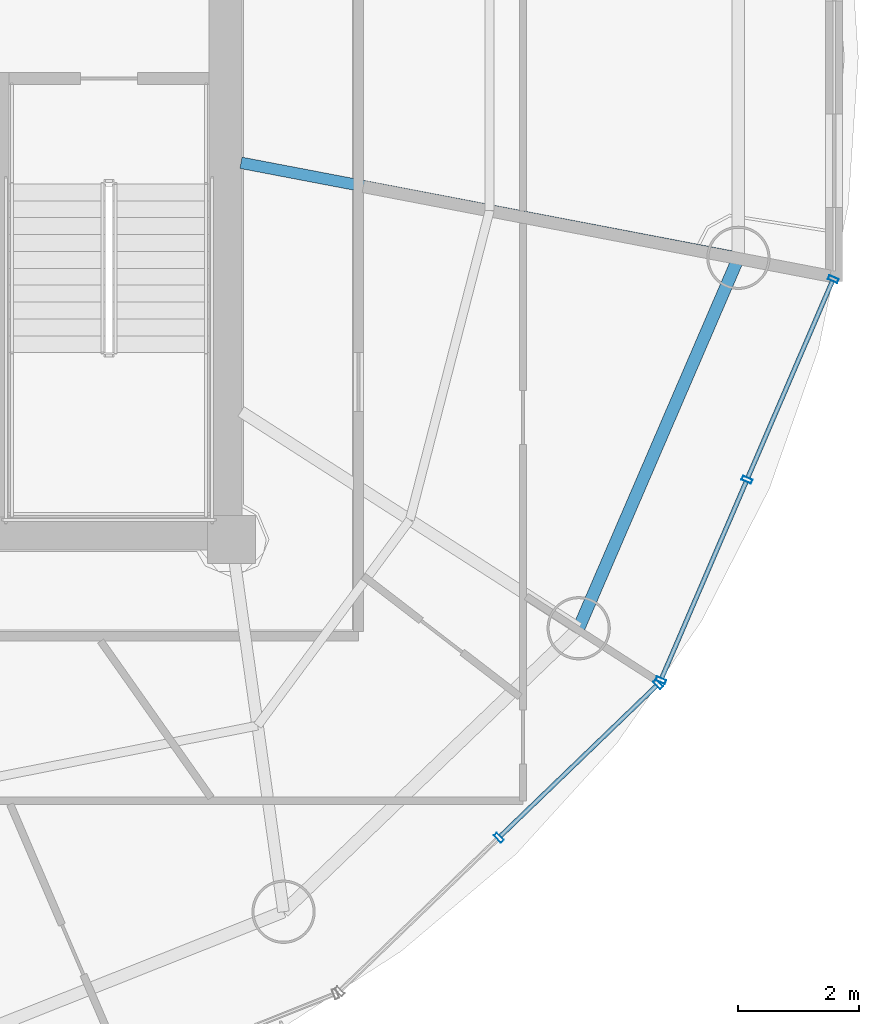
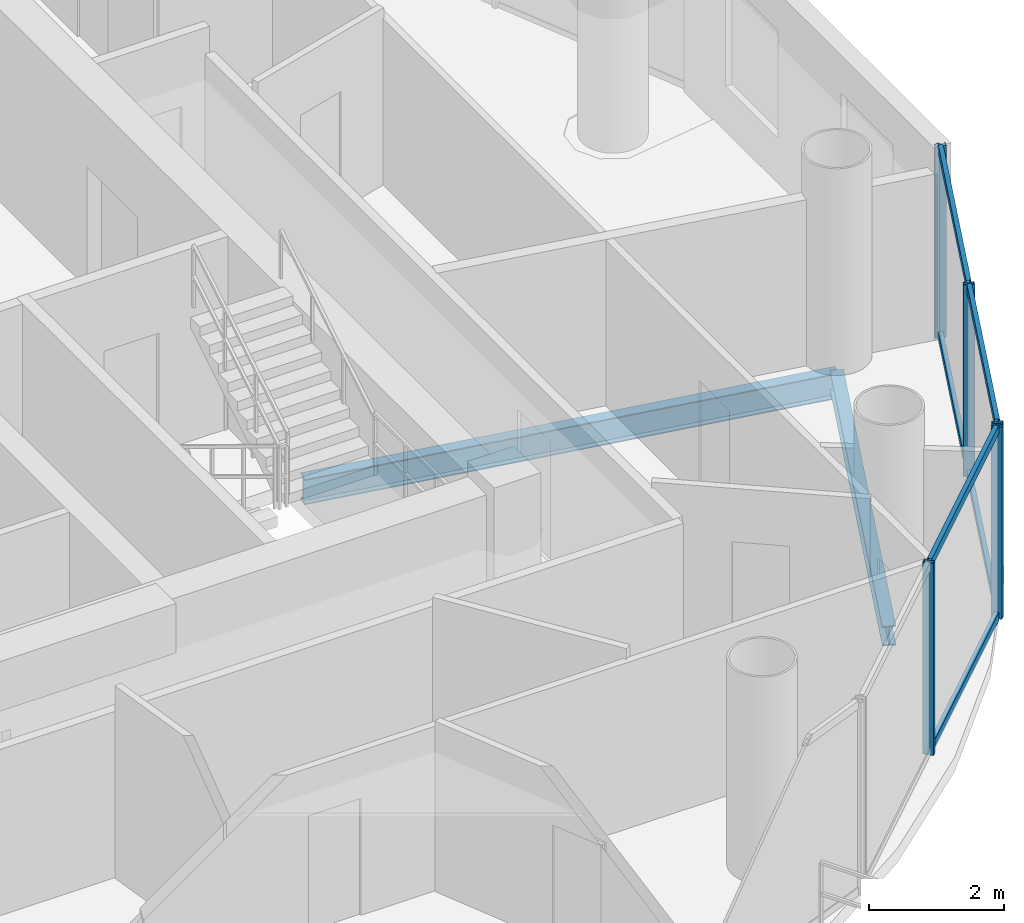
# One storey, part 10 of 23: 11 members, 2 beams, 2 elements without a shape of their own.
"""IFC4 building model written with IfcOpenShell, lengths in metres."""

from ifc_helpers import new_model, si_unit, direction, frame, origin, origin_2d, place, context, subcontext, project, spatial, hollow_rectangle, i_section, extrude, source, transform, mapped, material, material_profile, profile_set, type_object, element, aggregate, save


model = new_model("IFC4")

# Units and contexts
model_context = context("Model", 3, precision=1e-05, world=origin(), true_north=direction((-0.2419218956, 0.970295726276)))
body_context = subcontext(model_context, "Body", "Model", "MODEL_VIEW")
ifc_project = project(units=[si_unit("LENGTHUNIT", "METRE"), si_unit("AREAUNIT", "SQUARE_METRE"), si_unit("VOLUMEUNIT", "CUBIC_METRE"), si_unit("PLANEANGLEUNIT", "RADIAN"), si_unit("MASSUNIT", "GRAM", prefix="KILO")], contexts=[model_context])

# Site, building, storey
site_placement = place(None, origin())
site = spatial("IfcSite", under=ifc_project, at=site_placement, CompositionType="ELEMENT")
building_placement = place(site_placement, origin())
building = spatial("IfcBuilding", under=site, at=building_placement, Name="Cobrevalo Terracotta Tower", CompositionType="ELEMENT")
storey_placement = place(building_placement, frame((0.0, 0.0, 266.949951171875)))
storey = spatial("IfcBuildingStorey", under=building, at=storey_placement, Name="L70", CompositionType="ELEMENT", Elevation=266.949951171875)

# Beams
ifc_material_1 = material(Name="Steel S355", Category="steel")
ifc_material_profile_1 = material_profile(ifc_material_1, i_section(OverallWidth=0.19091796875, OverallDepth=0.4599609375, WebThickness=0.010009765625, FlangeThickness=0.01611328125, at=origin_2d()), Name="W 460x82")
ifc_profile_set_1 = profile_set([ifc_material_profile_1], Name="Steel S355")
beam_type_1 = type_object("IfcBeamType", Name="Structural Beam W 460x82 (Steel S355)", PredefinedType="BEAM", material=ifc_profile_set_1)
beam_1_placement = place(storey_placement, frame((55.408935546875, 23.4736328125, -0.489990234375), z_axis=(-0.982229562106, 0.187683476432, 0.0), x_axis=(-0.187683476432, -0.982229562106, 0.0)))
element("IfcBeam", 1, at=beam_1_placement, inside=storey, type_object=beam_type_1, Name="L70 radial floor girder 16", PredefinedType="BEAM", context=body_context, shape_type="SweptSolid", body=[
    extrude(i_section(OverallWidth=0.19091796875, OverallDepth=0.4599609375, WebThickness=0.010009765625, FlangeThickness=0.01611328125, at=origin_2d()), origin(), (0.0, 0.0, 1.0), 8.4033203125),
])
ifc_material_profile_2 = material_profile(ifc_material_1, i_section(OverallWidth=0.205078125, OverallDepth=0.35400390625, WebThickness=0.009521484375, FlangeThickness=0.016845703125, at=origin_2d()), Name="W 360x79")
ifc_profile_set_2 = profile_set([ifc_material_profile_2], Name="Steel S355")
beam_type_2 = type_object("IfcBeamType", Name="Structural Spandrel W 360x79 (Steel S355)", PredefinedType="SPANDREL", material=ifc_profile_set_2)
beam_2_placement = place(storey_placement, frame((52.758544921875, 17.32763671875, -0.43701171875), z_axis=(0.395987390706, 0.918255948198, 0.0), x_axis=(-0.918255948198, 0.395987390706, 0.0)))
element("IfcBeam", 2, at=beam_2_placement, inside=storey, type_object=beam_type_2, Name="L70 perimeter ring spandrel 15", PredefinedType="SPANDREL", context=body_context, shape_type="SweptSolid", body=[
    extrude(i_section(OverallWidth=0.205078125, OverallDepth=0.35400390625, WebThickness=0.009521484375, FlangeThickness=0.016845703125, at=origin_2d()), origin(), (0.0, 0.0, 1.0), 6.693115234375),
])

# Curtain wall, members
ifc_material_2 = material(Name="Anodized aluminium", Category="aluminium")
curtain_wall_type = type_object("IfcCurtainWallType", Name="Upper-tower triple-glazed penthouse curtain wall CW-U3", PredefinedType="NOTDEFINED", material=ifc_material_2)
curtain_wall_1_placement = place(storey_placement, origin())
curtain_wall_1 = element("IfcCurtainWall", 3, at=curtain_wall_1_placement, inside=storey, type_object=curtain_wall_type, Name="L70 curtain wall CW-L70-S14", PredefinedType="NOTDEFINED")
ifc_material_profile_3 = material_profile(ifc_material_2, hollow_rectangle(XDim=0.070068359375, YDim=0.169921875, WallThickness=0.00439453125, at=origin_2d()), Name="CWM 70x170")
ifc_profile_set_3 = profile_set([ifc_material_profile_3], Name="Anodized aluminium")
member_type_1 = type_object("IfcMemberType", Name="Upper tower unitised mullion 70x170", PredefinedType="MULLION", material=ifc_profile_set_3)
shared_shape_1 = source(origin(), body_context, "Body", "SweptSolid", [
    extrude(hollow_rectangle(XDim=0.070068359375, YDim=0.169921875, WallThickness=0.00439453125, at=origin_2d()), origin(), (0.0, 0.0, 1.0), 3.489990234375),
])
member_1_placement = place(storey_placement, frame((51.43359375, 13.85205078125, 0.0), z_axis=(0.0, 0.0, 1.0), x_axis=(0.71999418085, 0.69398010025, 0.0)))
member_1 = element("IfcMember", 4, at=member_1_placement, type_object=member_type_1, Name="CW-L70-S14 vertical mullion 02", PredefinedType="MULLION", context=body_context, shape_type="MappedRepresentation", body=[
    mapped(shared_shape_1, transform((0.0, 0.0, 0.0), scale=1.0)),
])
member_2_placement = place(storey_placement, frame((54.07666015625, 16.399658203125, 0.0), z_axis=(0.0, 0.0, 1.0), x_axis=(0.71999418085, 0.69398010025, 0.0)))
member_2 = element("IfcMember", 5, at=member_2_placement, type_object=member_type_1, Name="CW-L70-S14 vertical mullion 03", PredefinedType="MULLION", context=body_context, shape_type="MappedRepresentation", body=[
    mapped(shared_shape_1, transform((0.0, 0.0, 0.0), scale=1.0)),
])

curtain_wall_2_placement = place(storey_placement, origin())
curtain_wall_2 = element("IfcCurtainWall", 6, at=curtain_wall_2_placement, inside=storey, type_object=curtain_wall_type, Name="L70 curtain wall CW-L70-S15", PredefinedType="NOTDEFINED")
member_3_placement = place(storey_placement, frame((54.121337890625, 16.46435546875, 0.0), z_axis=(0.0, 0.0, 1.0), x_axis=(0.39482403454, 0.91875675875, 0.0)))
member_3 = element("IfcMember", 7, at=member_3_placement, type_object=member_type_1, Name="CW-L70-S15 vertical mullion 01", PredefinedType="MULLION", context=body_context, shape_type="MappedRepresentation", body=[
    mapped(shared_shape_1, transform((0.0, 0.0, 0.0), scale=1.0)),
])
member_4_placement = place(storey_placement, frame((55.5517578125, 19.79248046875, 0.0), z_axis=(0.0, 0.0, 1.0), x_axis=(0.39482403454, 0.91875675875, 0.0)))
member_4 = element("IfcMember", 8, at=member_4_placement, type_object=member_type_1, Name="CW-L70-S15 vertical mullion 02", PredefinedType="MULLION", context=body_context, shape_type="MappedRepresentation", body=[
    mapped(shared_shape_1, transform((0.0, 0.0, 0.0), scale=1.0)),
])
member_5_placement = place(storey_placement, frame((56.98193359375, 23.120849609375, 0.0), z_axis=(0.0, 0.0, 1.0), x_axis=(0.39482403454, 0.91875675875, 0.0)))
member_5 = element("IfcMember", 9, at=member_5_placement, type_object=member_type_1, Name="CW-L70-S15 vertical mullion 03", PredefinedType="MULLION", context=body_context, shape_type="MappedRepresentation", body=[
    mapped(shared_shape_1, transform((0.0, 0.0, 0.0), scale=1.0)),
])

# Member
ifc_material_profile_4 = material_profile(ifc_material_2, hollow_rectangle(XDim=0.074951171875, YDim=0.14990234375, WallThickness=0.00439453125, at=origin_2d()), Name="CWT 75x150")
ifc_profile_set_4 = profile_set([ifc_material_profile_4], Name="Anodized aluminium")
member_type_2 = type_object("IfcMemberType", Name="Tower unitised aluminium transom 75x150", PredefinedType="USERDEFINED", material=ifc_profile_set_4)
shared_shape_2 = source(origin(), body_context, "Body", "SweptSolid", [
    extrude(hollow_rectangle(XDim=0.074951171875, YDim=0.14990234375, WallThickness=0.00439453125, at=origin_2d()), origin(), (0.0, 0.0, 1.0), 3.59130859375),
])
member_6_placement = place(storey_placement, frame((51.462158203125, 13.879638671875, 0.050048828125), z_axis=(0.719971660756, 0.694003463758, 0.0), x_axis=(-0.694003463758, 0.719971660756, 0.0)))
member_6 = element("IfcMember", 10, at=member_6_placement, type_object=member_type_2, Name="CW-L70-S14 transom B02-T1", ObjectType="TRANSOM", PredefinedType="USERDEFINED", context=body_context, shape_type="MappedRepresentation", body=[
    mapped(shared_shape_2, transform((0.0, 0.0, 0.0), scale=1.0)),
])

member_7_placement = place(storey_placement, frame((51.462158203125, 13.879638671875, 3.43994140625), z_axis=(0.719971660756, 0.694003463758, 0.0), x_axis=(-0.694003463758, 0.719971660756, 0.0)))
member_7 = element("IfcMember", 11, at=member_7_placement, type_object=member_type_2, Name="CW-L70-S14 transom B02-T2", ObjectType="TRANSOM", PredefinedType="USERDEFINED", context=body_context, shape_type="MappedRepresentation", body=[
    mapped(shared_shape_2, transform((0.0, 0.0, 0.0), scale=1.0)),
])

aggregate(curtain_wall_1, [member_1, member_2, member_6, member_7])

shared_shape_3 = source(origin(), body_context, "Body", "SweptSolid", [
    extrude(hollow_rectangle(XDim=0.074951171875, YDim=0.14990234375, WallThickness=0.00439453125, at=origin_2d()), origin(), (0.0, 0.0, 1.0), 3.542724609375),
])
member_8_placement = place(storey_placement, frame((54.13720703125, 16.5009765625, 0.050048828125), z_axis=(0.394809056766, 0.918763195114, 0.0), x_axis=(-0.918763195114, 0.394809056766, 0.0)))
member_8 = element("IfcMember", 12, at=member_8_placement, type_object=member_type_2, Name="CW-L70-S15 transom B01-T1", ObjectType="TRANSOM", PredefinedType="USERDEFINED", context=body_context, shape_type="MappedRepresentation", body=[
    mapped(shared_shape_3, transform((0.0, 0.0, 0.0), scale=1.0)),
])

member_9_placement = place(storey_placement, frame((54.13720703125, 16.5009765625, 3.43994140625), z_axis=(0.394809056766, 0.918763195114, 0.0), x_axis=(-0.918763195114, 0.394809056766, 0.0)))
member_9 = element("IfcMember", 13, at=member_9_placement, type_object=member_type_2, Name="CW-L70-S15 transom B01-T2", ObjectType="TRANSOM", PredefinedType="USERDEFINED", context=body_context, shape_type="MappedRepresentation", body=[
    mapped(shared_shape_3, transform((0.0, 0.0, 0.0), scale=1.0)),
])

member_10_placement = place(storey_placement, frame((55.5673828125, 19.829345703125, 0.050048828125), z_axis=(0.394867226589, 0.918738196314, 0.0), x_axis=(-0.918738196314, 0.394867226589, 0.0)))
member_10 = element("IfcMember", 14, at=member_10_placement, type_object=member_type_2, Name="CW-L70-S15 transom B02-T1", ObjectType="TRANSOM", PredefinedType="USERDEFINED", context=body_context, shape_type="MappedRepresentation", body=[
    mapped(shared_shape_3, transform((0.0, 0.0, 0.0), scale=1.0)),
])

member_11_placement = place(storey_placement, frame((55.5673828125, 19.829345703125, 3.43994140625), z_axis=(0.394867226589, 0.918738196314, 0.0), x_axis=(-0.918738196314, 0.394867226589, 0.0)))
member_11 = element("IfcMember", 15, at=member_11_placement, type_object=member_type_2, Name="CW-L70-S15 transom B02-T2", ObjectType="TRANSOM", PredefinedType="USERDEFINED", context=body_context, shape_type="MappedRepresentation", body=[
    mapped(shared_shape_3, transform((0.0, 0.0, 0.0), scale=1.0)),
])

aggregate(curtain_wall_2, [member_3, member_4, member_5, member_8, member_9, member_10, member_11])

save(model, "model.ifc")
